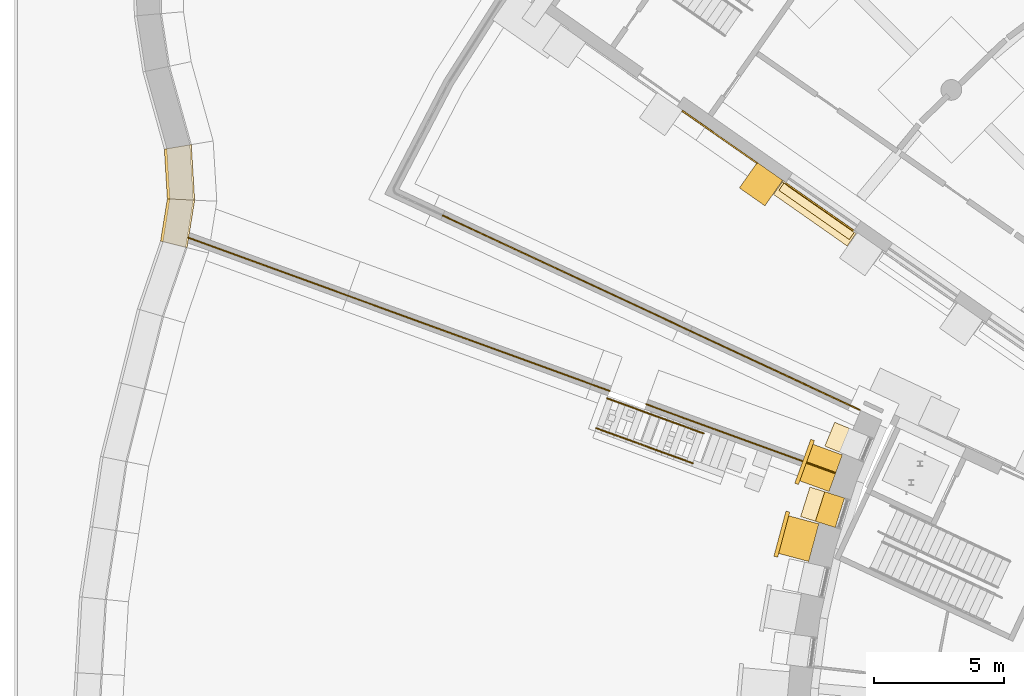
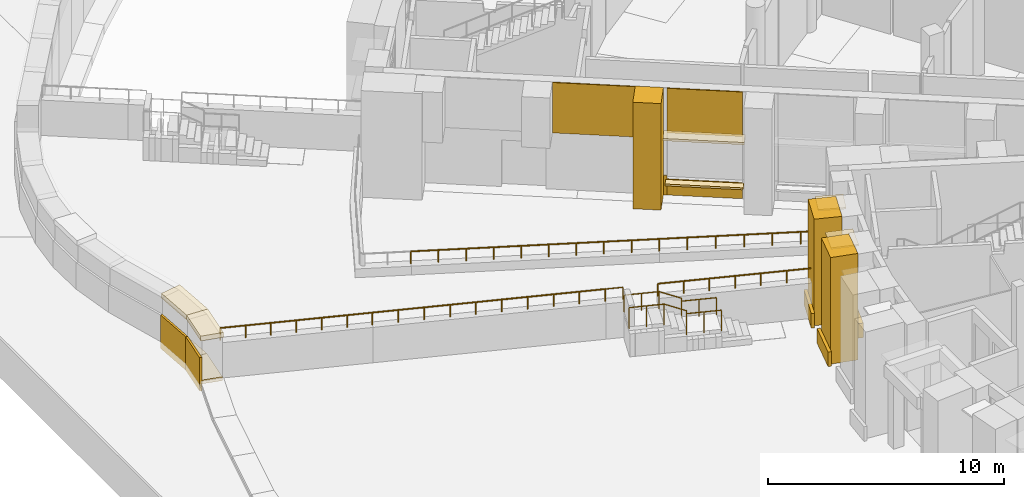
# One storey, part 58 of 65: 20 coverings, 8 railings.
"""IFC4 building model written with IfcOpenShell, lengths in metres."""

from ifc_helpers import new_model, si_unit, direction, frame, origin, origin_2d, place, context, subcontext, project, spatial, polyline, rectangle, circle, outline, extrude, material, layer, layer_set, type_object, element, save


model = new_model("IFC4")

# Units and contexts
model_context = context("Model", 3, precision=1e-05, world=origin(), true_north=direction((0.0, 1.0)))
body_context = subcontext(model_context, "Body", "Model", "MODEL_VIEW")
ifc_project = project(units=[si_unit("LENGTHUNIT", "METRE"), si_unit("AREAUNIT", "SQUARE_METRE"), si_unit("VOLUMEUNIT", "CUBIC_METRE"), si_unit("PLANEANGLEUNIT", "RADIAN"), si_unit("MASSUNIT", "GRAM", prefix="KILO")], contexts=[model_context])

# Site, building, storey
site_placement = place(None, origin())
site = spatial("IfcSite", under=ifc_project, at=site_placement, CompositionType="ELEMENT")
building_placement = place(site_placement, origin())
building = spatial("IfcBuilding", under=site, at=building_placement, Name="Volute Hill Aquarium", CompositionType="ELEMENT")
storey_placement = place(building_placement, frame((0.0, 0.0, -5.5)))
storey = spatial("IfcBuildingStorey", under=building, at=storey_placement, Name="L00", CompositionType="ELEMENT", Elevation=-5.5)

# Coverings
ifc_material_1 = material(Name="Blue limestone", Category="masonry")
covering_type_1 = type_object("IfcCoveringType", Name="Bluestone plinth block 275x750", PredefinedType="CLADDING", material=ifc_material_1)
covering_1_placement = place(storey_placement, frame((-30.489990234375, 9.61328125, 0.0), z_axis=(0.0, 0.0, 1.0), x_axis=(-0.300700050093, -0.953718763512, 0.0)))
element("IfcCovering", 1, at=covering_1_placement, inside=storey, type_object=covering_type_1, Name="Bluestone plinth BPN S1 L00 2", PredefinedType="CLADDING", context=body_context, shape_type="SweptSolid", body=[
    extrude(rectangle(XDim=1.19287109375, YDim=0.800048828125, at=origin_2d()), origin(), (0.0, 0.0, 1.0), 0.75),
])
ifc_material_2 = material(Name="Blue limestone", Category="masonry")
ifc_layer_1 = layer(ifc_material_2, 0.14990234375)
ifc_layer_set_1 = layer_set([ifc_layer_1], Name="Bluestone plinth plate 150x750")
covering_type_2 = type_object("IfcCoveringType", Name="Bluestone plinth plate 150x750", PredefinedType="CLADDING", material=ifc_layer_set_1)
for number, where, z_axis, x_axis, name in (
    (2, (-31.470458984375, 11.454345703125, 0.0), (0.0, 0.0, 1.0), (-0.342020143326, -0.939692620786, 0.0), "Bluestone plinth BP S1 L00 1"),
    (3, (-32.348876953125, 8.66796875, 0.0), (0.0, 0.0, 1.0), (-0.258819045103, -0.965925826289, 0.0), "Bluestone plinth BP S1 L00 2"),
):
    element("IfcCovering", number, at=place(storey_placement, frame(where, z_axis=z_axis, x_axis=x_axis)), inside=storey, type_object=covering_type_2, Name=name, PredefinedType="CLADDING", context=body_context, shape_type="SweptSolid", body=[
        extrude(rectangle(XDim=1.80224609375, YDim=0.14990234375, at=origin_2d()), origin(), (0.0, 0.0, 1.0), 0.75),
    ])
ifc_material_3 = material(Name="Blue limestone", Category="masonry")
ifc_layer_2 = layer(ifc_material_3, 0.06005859375)
ifc_layer_set_2 = layer_set([ifc_layer_2], Name="End wall plinth blue limestone 60")
covering_type_3 = type_object("IfcCoveringType", Name="End wall plinth blue limestone 60", PredefinedType="CLADDING", material=ifc_layer_set_2)
covering_2_placement = place(storey_placement, frame((-29.559326171875, 20.392333984375, 0.0), z_axis=(0.573630604722, 0.819114112518, 0.0), x_axis=(-0.819114112518, 0.573630604722, 0.0)))
element("IfcCovering", 4, at=covering_2_placement, inside=storey, type_object=covering_type_3, Name="End wall plinth EWL S6B L00 4", PredefinedType="CLADDING", context=body_context, shape_type="SweptSolid", body=[
    extrude(outline(polyline([(0.0, 0.0), (3.213325271657339, 0.0), (3.213325271657339, 0.800048828125), (0.0, 0.800048828125), (0.0, 0.0)])), origin(), (0.0, 0.0, -1.0), 0.06005859375),
])
covering_3_placement = place(storey_placement, frame((-32.19140625, 22.235595703125, 0.0), z_axis=(0.573353020881, 0.819308436089, 0.0), x_axis=(-0.819308436089, 0.573353020881, 0.0)))
element("IfcCovering", 5, at=covering_3_placement, inside=storey, type_object=covering_type_3, Name="End wall plinth EWL S6B L00 4", PredefinedType="CLADDING", context=body_context, shape_type="SweptSolid", body=[
    extrude(outline(polyline([(0.0, 0.0), (0.1498858414801972, 0.0), (0.1498858414801972, 1.0), (0.0, 1.0), (0.0, 0.0)])), origin(), (0.0, 0.0, -1.0), 0.06005859375),
])
ifc_material_4 = material(Name="Precast concrete C40/50", Category="concrete")
covering_type_4 = type_object("IfcCoveringType", Name="End wall precast fin C40/50 1200x1200", PredefinedType="CLADDING", material=ifc_material_4)
covering_4_placement = place(storey_placement, frame((-33.14990234375, 22.174072265625, 0.0), z_axis=(0.0, 0.0, 1.0), x_axis=(-0.819151442029, 0.573577296467, 0.0)))
element("IfcCovering", 6, at=covering_4_placement, inside=storey, type_object=covering_type_4, Name="End wall fin EWF S6B L00 5", PredefinedType="CLADDING", context=body_context, shape_type="SweptSolid", body=[
    extrude(rectangle(XDim=1.199951171875, YDim=1.199951171875, at=origin_2d()), origin(), (0.0, 0.0, 1.0), 5.5),
])
ifc_material_5 = material(Name="Precast concrete C40/50", Category="concrete")
ifc_layer_3 = layer(ifc_material_5, 0.050048828125)
ifc_layer_set_3 = layer_set([ifc_layer_3], Name="End wall precast infill panel C40/50 50")
covering_type_5 = type_object("IfcCoveringType", Name="End wall precast infill panel C40/50 50", PredefinedType="CLADDING", material=ifc_layer_set_3)
covering_5_placement = place(storey_placement, frame((-29.55908203125, 20.392333984375, 3.199951171875), z_axis=(0.573579624401, 0.819149811983, 0.0), x_axis=(-0.819149811983, 0.573579624401, 0.0)))
element("IfcCovering", 7, at=covering_5_placement, inside=storey, type_object=covering_type_5, Name="End wall panel EWP S6B L00 4", PredefinedType="CLADDING", context=body_context, shape_type="SweptSolid", body=[
    extrude(outline(polyline([(0.0, 0.0), (3.2131852313460314, 0.0), (3.2131852313460314, 2.300048828125), (0.0, 2.300048828125), (0.0, 0.0)])), origin(), (0.0, 0.0, -1.0), 0.050048828125),
])
covering_6_placement = place(storey_placement, frame((-33.297119140625, 23.009765625, 2.89990234375), z_axis=(0.573574269956, 0.819153561211, 0.0), x_axis=(-0.819153561211, 0.573574269956, 0.0)))
element("IfcCovering", 8, at=covering_6_placement, inside=storey, type_object=covering_type_5, Name="End wall panel EWP S6B L00 5", PredefinedType="CLADDING", context=body_context, shape_type="SweptSolid", body=[
    extrude(outline(polyline([(0.0, 0.0), (3.513296924748656, 0.0), (3.513296924748656, 2.60009765625), (0.0, 2.60009765625), (0.0, 0.0)])), origin(), (0.0, 0.0, -1.0), 0.050048828125),
])
ifc_material_6 = material(Name="Precast concrete C40/50", Category="concrete")
ifc_layer_4 = layer(ifc_material_6, 0.1201171875)
ifc_layer_set_4 = layer_set([ifc_layer_4], Name="End wall window head blade precast C40/50 600x120")
covering_type_6 = type_object("IfcCoveringType", Name="End wall window head blade precast C40/50 600x120", PredefinedType="CLADDING", material=ifc_layer_set_4)
covering_7_placement = place(storey_placement, frame((-31.075927734375, 21.027099609375, 3.199951171875), z_axis=(0.0, 0.0, 1.0), x_axis=(-0.819151442029, 0.573577296467, 0.0)))
element("IfcCovering", 9, at=covering_7_placement, inside=storey, type_object=covering_type_6, Name="End wall window head blade EWB S6B L00 4.1", PredefinedType="CLADDING", context=body_context, shape_type="SweptSolid", body=[
    extrude(rectangle(XDim=3.473388671875, YDim=0.60009765625, at=origin_2d()), origin(), (0.0, 0.0, 1.0), 0.1201171875),
])
ifc_material_7 = material(Name="Precast concrete C40/50", Category="concrete")
ifc_layer_5 = layer(ifc_material_7, 0.10009765625)
ifc_layer_set_5 = layer_set([ifc_layer_5], Name="End wall window sill precast C40/50 350x100")
covering_type_7 = type_object("IfcCoveringType", Name="End wall window sill precast C40/50 350x100", PredefinedType="CLADDING", material=ifc_layer_set_5)
covering_8_placement = place(storey_placement, frame((-31.004150390625, 21.129638671875, 0.699951171875), z_axis=(0.0, 0.0, 1.0), x_axis=(-0.819151442029, 0.573577296467, 0.0)))
element("IfcCovering", 10, at=covering_8_placement, inside=storey, type_object=covering_type_7, Name="End wall window sill EWS S6B L00 4.1", PredefinedType="CLADDING", context=body_context, shape_type="SweptSolid", body=[
    extrude(rectangle(XDim=3.313232421875, YDim=0.35009765625, at=origin_2d()), origin(), (0.0, 0.0, 1.0), 0.10009765625),
])
ifc_material_8 = material(Name="Aluminium, anodised", Category="aluminium")
ifc_layer_6 = layer(ifc_material_8, 0.080078125)
ifc_layer_set_6 = layer_set([ifc_layer_6], Name="Horizontal brise-soleil eyebrow 1200x80")
covering_type_8 = type_object("IfcCoveringType", Name="Horizontal brise-soleil eyebrow 1200x80", PredefinedType="CLADDING", material=ifc_layer_set_6)
covering_9_placement = place(storey_placement, frame((-29.944091796875, 12.294921875, 4.760009765625), z_axis=(0.0, 0.0, 1.0), x_axis=(-0.382661654863, -0.923888552747, 0.0)))
element("IfcCovering", 11, at=covering_9_placement, inside=storey, type_object=covering_type_8, Name="Brise-soleil eyebrow BS S1 L00 1.1", PredefinedType="CLADDING", context=body_context, shape_type="SweptSolid", body=[
    extrude(rectangle(XDim=0.99267578125, YDim=1.199951171875, at=origin_2d()), origin(), (0.0, 0.0, 1.0), 0.080078125),
])
covering_10_placement = place(storey_placement, frame((-30.87158203125, 9.733642578125, 4.760009765625), z_axis=(0.0, 0.0, 1.0), x_axis=(-0.300700050093, -0.953718763512, 0.0)))
element("IfcCovering", 12, at=covering_10_placement, inside=storey, type_object=covering_type_8, Name="Brise-soleil eyebrow BS S1 L00 2.1", PredefinedType="CLADDING", context=body_context, shape_type="SweptSolid", body=[
    extrude(rectangle(XDim=1.19287109375, YDim=1.199951171875, at=origin_2d()), origin(), (0.0, 0.0, 1.0), 0.080078125),
])
ifc_material_9 = material(Name="Precast concrete C40/50", Category="concrete")
ifc_layer_7 = layer(ifc_material_9, 0.25)
ifc_layer_set_7 = layer_set([ifc_layer_7], Name="Plinth coping precast concrete C40/50 1000")
covering_type_9 = type_object("IfcCoveringType", Name="Plinth coping precast concrete C40/50 1000", PredefinedType="CLADDING", material=ifc_layer_set_7)
covering_11_placement = place(storey_placement, frame((0.0, 0.0, 2.22509765625)))
element("IfcCovering", 13, at=covering_11_placement, inside=storey, type_object=covering_type_9, Name="cp/E91FA1/L00/0", PredefinedType="CLADDING", context=body_context, shape_type="SweptSolid", body=[
    extrude(outline(polyline([(-56.12744140625, 23.532958984375), (-56.01123046875, 21.603759765625), (-55.006591796875, 21.55419921875), (-55.1357421875, 23.698486328125), (-55.1357421875, 23.698486328125), (-56.12744140625, 23.532958984375), (-56.12744140625, 23.532958984375)])), origin(), (0.0, 0.0, 1.0), 0.25),
])
covering_12_placement = place(storey_placement, frame((0.0, 0.0, 2.22509765625)))
element("IfcCovering", 14, at=covering_12_placement, inside=storey, type_object=covering_type_9, Name="cp/E92FA1/L00/0", PredefinedType="CLADDING", context=body_context, shape_type="SweptSolid", body=[
    extrude(outline(polyline([(-56.01123046875, 21.603759765625), (-56.2734375, 19.96435546875), (-55.299560546875, 19.72216796875), (-55.006591796875, 21.55419921875), (-56.01123046875, 21.603759765625)])), origin(), (0.0, 0.0, 1.0), 0.25),
])
ifc_material_10 = material(Name="Precast concrete C40/50", Category="concrete")
ifc_layer_8 = layer(ifc_material_10, 0.199951171875)
ifc_layer_set_8 = layer_set([ifc_layer_8], Name="Plinth grade course precast concrete C40/50 1100")
covering_type_10 = type_object("IfcCoveringType", Name="Plinth grade course precast concrete C40/50 1100", PredefinedType="CLADDING", material=ifc_layer_set_8)
covering_13_placement = place(storey_placement, origin())
element("IfcCovering", 15, at=covering_13_placement, inside=storey, type_object=covering_type_10, Name="gc/E91FA1/L00/0", PredefinedType="CLADDING", context=body_context, shape_type="SweptSolid", body=[
    extrude(outline(polyline([(-56.0615234375, 21.606201171875), (-56.0615234375, 21.606201171875), (-55.056884765625, 21.556640625), (-55.056884765625, 21.556640625), (-55.185302734375, 23.690185546875), (-55.185302734375, 23.690185546875), (-56.177001953125, 23.524658203125), (-56.0615234375, 21.606201171875)])), origin(), (0.0, 0.0, 1.0), 0.199951171875),
])
covering_14_placement = place(storey_placement, origin())
element("IfcCovering", 16, at=covering_14_placement, inside=storey, type_object=covering_type_10, Name="gc/E92FA1/L00/0", PredefinedType="CLADDING", context=body_context, shape_type="SweptSolid", body=[
    extrude(outline(polyline([(-56.0615234375, 21.606201171875), (-56.322265625, 19.976318359375), (-55.34814453125, 19.734375), (-55.056884765625, 21.556640625), (-56.0615234375, 21.606201171875)])), origin(), (0.0, 0.0, 1.0), 0.199951171875),
])
ifc_material_11 = material(Name="Precast concrete C40/50", Category="concrete")
covering_type_11 = type_object("IfcCoveringType", Name="Projecting pier precast concrete C40/50 1502x1200", PredefinedType="CLADDING", material=ifc_material_11)
for number, where, z_axis, x_axis, name in (
    (17, (-30.836181640625, 11.223388671875, 0.0), (0.0, 0.0, 1.0), (-0.342020143326, -0.939692620786, 0.0), "Projecting pier PP S1 L00 1"),
    (18, (-31.697021484375, 8.4931640625, 0.0), (0.0, 0.0, 1.0), (-0.258819045103, -0.965925826289, 0.0), "Projecting pier PP S1 L00 2"),
):
    element("IfcCovering", number, at=place(storey_placement, frame(where, z_axis=z_axis, x_axis=x_axis)), inside=storey, type_object=covering_type_11, Name=name, PredefinedType="CLADDING", context=body_context, shape_type="SweptSolid", body=[
        extrude(rectangle(XDim=1.502197265625, YDim=1.199951171875, at=origin_2d()), origin(), (0.0, 0.0, 1.0), 5.5),
    ])
ifc_material_12 = material(Name="Precast concrete C40/50", Category="concrete")
ifc_layer_9 = layer(ifc_material_12, 0.10009765625)
ifc_layer_set_9 = layer_set([ifc_layer_9], Name="Retained ground face precast concrete C40/50 100")
covering_type_12 = type_object("IfcCoveringType", Name="Retained ground face precast concrete C40/50 100", PredefinedType="CLADDING", material=ifc_layer_set_9)
covering_15_placement = place(storey_placement, frame((0.0, 0.0, -0.35009765625)))
element("IfcCovering", 19, at=covering_15_placement, inside=storey, type_object=covering_type_12, Name="tg/E91FA1/L00/0", PredefinedType="CLADDING", context=body_context, shape_type="SweptSolid", body=[
    extrude(outline(polyline([(-56.0615234375, 21.606201171875), (-56.0615234375, 21.606201171875), (-55.961181640625, 21.601318359375), (-56.077880859375, 23.541259765625), (-56.177001953125, 23.524658203125), (-56.0615234375, 21.606201171875)])), origin(), (0.0, 0.0, 1.0), 1.72509765625),
])
covering_16_placement = place(storey_placement, frame((0.0, 0.0, -0.35009765625)))
element("IfcCovering", 20, at=covering_16_placement, inside=storey, type_object=covering_type_12, Name="tg/E92FA1/L00/0", PredefinedType="CLADDING", context=body_context, shape_type="SweptSolid", body=[
    extrude(outline(polyline([(-56.0615234375, 21.606201171875), (-56.322265625, 19.976318359375), (-56.224853515625, 19.9521484375), (-56.224853515625, 19.9521484375), (-55.961181640625, 21.601318359375), (-55.961181640625, 21.601318359375), (-56.0615234375, 21.606201171875)])), origin(), (0.0, 0.0, 1.0), 1.72509765625),
])

# Railings
ifc_material_13 = material(Name="Steel S355", Category="steel")
railing_type_1 = type_object("IfcRailingType", Name="Site guard 1100", PredefinedType="GUARDRAIL", material=ifc_material_13)
railing_1_placement = place(storey_placement, frame((-35.7880859375, 11.403076171875, 0.763916015625)))
element("IfcRailing", 21, at=railing_1_placement, inside=storey, type_object=railing_type_1, Name="gd/ST160/L00/1", PredefinedType="GUARDRAIL", context=body_context, shape_type="SweptSolid", body=[
    extrude(circle(Radius=0.02392578125, at=origin_2d()), frame((0.0, 0.0, 1.076171875), z_axis=(-0.9397221254, 0.341939069183, 0.0), x_axis=(-0.341939069183, -0.9397221254, 0.0)), (0.0, 0.0, 1.0), 1.5),
    extrude(circle(Radius=0.02392578125, at=origin_2d()), frame((-1.40966796875, 0.512939453125, 1.076171875), z_axis=(0.0, 0.0, 1.0), x_axis=(1.0, 0.0, 0.0)), (0.0, 0.0, 1.0), 0.15283203125),
    extrude(circle(Radius=0.02392578125, at=origin_2d()), frame((-1.40966796875, 0.512939453125, 1.22900390625), z_axis=(-0.848021952055, 0.308684580653, 0.430781381328), x_axis=(-0.342049332837, -0.939681996159, 0.0)), (0.0, 0.0, 1.0), 1.063720703125),
    extrude(circle(Radius=0.02392578125, at=origin_2d()), frame((-2.311767578125, 0.84130859375, 1.68701171875), z_axis=(-0.9397221254, 0.341939069183, 0.0), x_axis=(-0.341939069183, -0.9397221254, 0.0)), (0.0, 0.0, 1.0), 1.5),
    extrude(circle(Radius=0.02099609375, at=origin_2d()), origin(), (0.0, 0.0, 1.0), 1.052001953125),
    extrude(circle(Radius=0.02099609375, at=origin_2d()), frame((-0.704833984375, 0.25634765625, 0.0)), (0.0, 0.0, 1.0), 1.052001953125),
    extrude(circle(Radius=0.02099609375, at=origin_2d()), frame((-1.40966796875, 0.512939453125, 0.0)), (0.0, 0.0, 1.0), 1.052001953125),
    extrude(circle(Radius=0.02099609375, at=origin_2d()), frame((-1.40966796875, 0.512939453125, 0.15283203125)), (0.0, 0.0, 1.0), 1.052001953125),
    extrude(circle(Radius=0.02099609375, at=origin_2d()), frame((-2.311767578125, 0.84130859375, 0.611083984375)), (0.0, 0.0, 1.0), 1.052001953125),
    extrude(circle(Radius=0.02099609375, at=origin_2d()), frame((-3.0166015625, 1.09765625, 0.611083984375)), (0.0, 0.0, 1.0), 1.052001953125),
    extrude(circle(Radius=0.02099609375, at=origin_2d()), frame((-3.721435546875, 1.354248046875, 0.611083984375)), (0.0, 0.0, 1.0), 1.052001953125),
])
railing_2_placement = place(storey_placement, frame((-30.30517578125, 11.030029296875, 1.824951171875)))
element("IfcRailing", 22, at=railing_2_placement, inside=storey, type_object=railing_type_1, Name="gd/RW160/L00/0", PredefinedType="GUARDRAIL", context=body_context, shape_type="SweptSolid", body=[
    extrude(circle(Radius=0.02392578125, at=origin_2d()), frame((0.0, 0.0, 0.6259765625), z_axis=(-0.939682860451, 0.342046958435, 0.0), x_axis=(-0.342046958435, -0.939682860451, 0.0)), (0.0, 0.0, 1.0), 7.739990234375),
    extrude(circle(Radius=0.02099609375, at=origin_2d()), origin(), (0.0, 0.0, 1.0), 0.601806640625),
    extrude(circle(Radius=0.02099609375, at=origin_2d()), frame((-1.0390625, 0.378173828125, 0.0)), (0.0, 0.0, 1.0), 0.601806640625),
    extrude(circle(Radius=0.02099609375, at=origin_2d()), frame((-2.078125, 0.75634765625, 0.0)), (0.0, 0.0, 1.0), 0.601806640625),
    extrude(circle(Radius=0.02099609375, at=origin_2d()), frame((-3.1171875, 1.134521484375, 0.0)), (0.0, 0.0, 1.0), 0.601806640625),
    extrude(circle(Radius=0.02099609375, at=origin_2d()), frame((-4.156005859375, 1.512939453125, 0.0)), (0.0, 0.0, 1.0), 0.601806640625),
    extrude(circle(Radius=0.02099609375, at=origin_2d()), frame((-5.195068359375, 1.89111328125, 0.0)), (0.0, 0.0, 1.0), 0.601806640625),
    extrude(circle(Radius=0.02099609375, at=origin_2d()), frame((-6.234130859375, 2.269287109375, 0.0)), (0.0, 0.0, 1.0), 0.601806640625),
    extrude(circle(Radius=0.02099609375, at=origin_2d()), frame((-7.273193359375, 2.6474609375, 0.0)), (0.0, 0.0, 1.0), 0.601806640625),
])
railing_3_placement = place(storey_placement, frame((-38.98779296875, 14.1904296875, 1.824951171875)))
element("IfcRailing", 23, at=railing_3_placement, inside=storey, type_object=railing_type_1, Name="gd/RW160/L00/1", PredefinedType="GUARDRAIL", context=body_context, shape_type="SweptSolid", body=[
    extrude(circle(Radius=0.02392578125, at=origin_2d()), frame((0.0, 0.0, 0.6259765625), z_axis=(-0.939652650954, 0.342129939578, 0.0), x_axis=(-0.342129939578, -0.939652650954, 0.0)), (0.0, 0.0, 1.0), 0.760009765625),
    extrude(circle(Radius=0.02099609375, at=origin_2d()), origin(), (0.0, 0.0, 1.0), 0.601806640625),
    extrude(circle(Radius=0.02099609375, at=origin_2d()), frame((-0.714111328125, 0.260009765625, 0.0)), (0.0, 0.0, 1.0), 0.601806640625),
])
railing_4_placement = place(storey_placement, frame((-39.701904296875, 14.450439453125, 1.824951171875)))
element("IfcRailing", 24, at=railing_4_placement, inside=storey, type_object=railing_type_1, Name="gd/RW160/L00/2", PredefinedType="GUARDRAIL", context=body_context, shape_type="SweptSolid", body=[
    extrude(circle(Radius=0.02392578125, at=origin_2d()), frame((0.0, 0.0, 0.6259765625), z_axis=(-0.939694302413, 0.342015523058, 0.0), x_axis=(-0.342015523058, -0.939694302413, 0.0)), (0.0, 0.0, 1.0), 10.0),
    extrude(circle(Radius=0.02099609375, at=origin_2d()), origin(), (0.0, 0.0, 1.0), 0.601806640625),
    extrude(circle(Radius=0.02099609375, at=origin_2d()), frame((-1.044189453125, 0.380126953125, 0.0)), (0.0, 0.0, 1.0), 0.601806640625),
    extrude(circle(Radius=0.02099609375, at=origin_2d()), frame((-2.088134765625, 0.760009765625, 0.0)), (0.0, 0.0, 1.0), 0.601806640625),
    extrude(circle(Radius=0.02099609375, at=origin_2d()), frame((-3.13232421875, 1.14013671875, 0.0)), (0.0, 0.0, 1.0), 0.601806640625),
    extrude(circle(Radius=0.02099609375, at=origin_2d()), frame((-4.176513671875, 1.52001953125, 0.0)), (0.0, 0.0, 1.0), 0.601806640625),
    extrude(circle(Radius=0.02099609375, at=origin_2d()), frame((-5.220458984375, 1.900146484375, 0.0)), (0.0, 0.0, 1.0), 0.601806640625),
    extrude(circle(Radius=0.02099609375, at=origin_2d()), frame((-6.2646484375, 2.280029296875, 0.0)), (0.0, 0.0, 1.0), 0.601806640625),
    extrude(circle(Radius=0.02099609375, at=origin_2d()), frame((-7.308837890625, 2.66015625, 0.0)), (0.0, 0.0, 1.0), 0.601806640625),
    extrude(circle(Radius=0.02099609375, at=origin_2d()), frame((-8.352783203125, 3.0400390625, 0.0)), (0.0, 0.0, 1.0), 0.601806640625),
    extrude(circle(Radius=0.02099609375, at=origin_2d()), frame((-9.39697265625, 3.420166015625, 0.0)), (0.0, 0.0, 1.0), 0.601806640625),
])
railing_5_placement = place(storey_placement, frame((-49.098876953125, 17.87060546875, 1.824951171875)))
element("IfcRailing", 25, at=railing_5_placement, inside=storey, type_object=railing_type_1, Name="gd/RW160/L00/3", PredefinedType="GUARDRAIL", context=body_context, shape_type="SweptSolid", body=[
    extrude(circle(Radius=0.02392578125, at=origin_2d()), frame((0.0, 0.0, 0.6259765625), z_axis=(-0.939701741785, 0.341995082547, 0.0), x_axis=(-0.341995082547, -0.939701741785, 0.0)), (0.0, 0.0, 1.0), 6.533447265625),
    extrude(circle(Radius=0.02099609375, at=origin_2d()), origin(), (0.0, 0.0, 1.0), 0.601806640625),
    extrude(circle(Radius=0.02099609375, at=origin_2d()), frame((-1.023193359375, 0.372314453125, 0.0)), (0.0, 0.0, 1.0), 0.601806640625),
    extrude(circle(Radius=0.02099609375, at=origin_2d()), frame((-2.04638671875, 0.744873046875, 0.0)), (0.0, 0.0, 1.0), 0.601806640625),
    extrude(circle(Radius=0.02099609375, at=origin_2d()), frame((-3.06982421875, 1.1171875, 0.0)), (0.0, 0.0, 1.0), 0.601806640625),
    extrude(circle(Radius=0.02099609375, at=origin_2d()), frame((-4.093017578125, 1.489501953125, 0.0)), (0.0, 0.0, 1.0), 0.601806640625),
    extrude(circle(Radius=0.02099609375, at=origin_2d()), frame((-5.1162109375, 1.862060546875, 0.0)), (0.0, 0.0, 1.0), 0.601806640625),
    extrude(circle(Radius=0.02099609375, at=origin_2d()), frame((-6.139404296875, 2.234375, 0.0)), (0.0, 0.0, 1.0), 0.601806640625),
])
railing_6_placement = place(storey_placement, frame((-35.88427734375, 16.512451171875, 1.824951171875)))
element("IfcRailing", 26, at=railing_6_placement, inside=storey, type_object=railing_type_1, Name="gd/RWCFA10.2/L00/0", PredefinedType="GUARDRAIL", context=body_context, shape_type="SweptSolid", body=[
    extrude(circle(Radius=0.02392578125, at=origin_2d()), frame((0.0, 0.0, 0.6259765625), z_axis=(-0.906313923598, 0.422605101592, 0.0), x_axis=(-0.422605101592, -0.906313923598, 0.0)), (0.0, 0.0, 1.0), 10.5361328125),
    extrude(circle(Radius=0.02099609375, at=origin_2d()), origin(), (0.0, 0.0, 1.0), 0.601806640625),
    extrude(circle(Radius=0.02099609375, at=origin_2d()), frame((-1.06103515625, 0.49462890625, 0.0)), (0.0, 0.0, 1.0), 0.601806640625),
    extrude(circle(Radius=0.02099609375, at=origin_2d()), frame((-2.1220703125, 0.989501953125, 0.0)), (0.0, 0.0, 1.0), 0.601806640625),
    extrude(circle(Radius=0.02099609375, at=origin_2d()), frame((-3.18310546875, 1.484130859375, 0.0)), (0.0, 0.0, 1.0), 0.601806640625),
    extrude(circle(Radius=0.02099609375, at=origin_2d()), frame((-4.244140625, 1.97900390625, 0.0)), (0.0, 0.0, 1.0), 0.601806640625),
    extrude(circle(Radius=0.02099609375, at=origin_2d()), frame((-5.304931640625, 2.4736328125, 0.0)), (0.0, 0.0, 1.0), 0.601806640625),
    extrude(circle(Radius=0.02099609375, at=origin_2d()), frame((-6.365966796875, 2.968505859375, 0.0)), (0.0, 0.0, 1.0), 0.601806640625),
    extrude(circle(Radius=0.02099609375, at=origin_2d()), frame((-7.427001953125, 3.463134765625, 0.0)), (0.0, 0.0, 1.0), 0.601806640625),
    extrude(circle(Radius=0.02099609375, at=origin_2d()), frame((-8.488037109375, 3.9580078125, 0.0)), (0.0, 0.0, 1.0), 0.601806640625),
    extrude(circle(Radius=0.02099609375, at=origin_2d()), frame((-9.549072265625, 4.45263671875, 0.0)), (0.0, 0.0, 1.0), 0.601806640625),
])
railing_7_placement = place(storey_placement, frame((-29.350341796875, 13.465576171875, 1.824951171875)))
element("IfcRailing", 27, at=railing_7_placement, inside=storey, type_object=railing_type_1, Name="gd/RWCFA10.3/L00/0", PredefinedType="GUARDRAIL", context=body_context, shape_type="SweptSolid", body=[
    extrude(circle(Radius=0.02392578125, at=origin_2d()), frame((0.0, 0.0, 0.6259765625), z_axis=(-0.906305087233, 0.422624051439, 0.0), x_axis=(-0.422624051439, -0.906305087233, 0.0)), (0.0, 0.0, 1.0), 7.20947265625),
    extrude(circle(Radius=0.02099609375, at=origin_2d()), origin(), (0.0, 0.0, 1.0), 0.601806640625),
    extrude(circle(Radius=0.02099609375, at=origin_2d()), frame((-1.0888671875, 0.5078125, 0.0)), (0.0, 0.0, 1.0), 0.601806640625),
    extrude(circle(Radius=0.02099609375, at=origin_2d()), frame((-2.177978515625, 1.015625, 0.0)), (0.0, 0.0, 1.0), 0.601806640625),
    extrude(circle(Radius=0.02099609375, at=origin_2d()), frame((-3.26708984375, 1.5234375, 0.0)), (0.0, 0.0, 1.0), 0.601806640625),
    extrude(circle(Radius=0.02099609375, at=origin_2d()), frame((-4.35595703125, 2.03125, 0.0)), (0.0, 0.0, 1.0), 0.601806640625),
    extrude(circle(Radius=0.02099609375, at=origin_2d()), frame((-5.44482421875, 2.5390625, 0.0)), (0.0, 0.0, 1.0), 0.601806640625),
    extrude(circle(Radius=0.02099609375, at=origin_2d()), frame((-6.533935546875, 3.046875, 0.0)), (0.0, 0.0, 1.0), 0.601806640625),
])
ifc_material_14 = material(Name="Steel S355", Category="steel")
railing_type_2 = type_object("IfcRailingType", Name="Site handrail 900", PredefinedType="HANDRAIL", material=ifc_material_14)
railing_8_placement = place(storey_placement, frame((-35.369384765625, 12.55419921875, 0.763916015625)))
element("IfcRailing", 28, at=railing_8_placement, inside=storey, type_object=railing_type_2, Name="hr/ST160/L00/1", PredefinedType="HANDRAIL", context=body_context, shape_type="SweptSolid", body=[
    extrude(circle(Radius=0.02392578125, at=origin_2d()), frame((0.0, 0.0, 0.8759765625), z_axis=(-0.939703091851, 0.341991372939, 0.0), x_axis=(-0.341991372939, -0.939703091851, 0.0)), (0.0, 0.0, 1.0), 1.499755859375),
    extrude(circle(Radius=0.02392578125, at=origin_2d()), frame((-1.409423828125, 0.512939453125, 0.8759765625), z_axis=(0.0, 0.0, 1.0), x_axis=(1.0, 0.0, 0.0)), (0.0, 0.0, 1.0), 0.15283203125),
    extrude(circle(Radius=0.02392578125, at=origin_2d()), frame((-1.409423828125, 0.512939453125, 1.02880859375), z_axis=(-0.848021952055, 0.308684580653, 0.430781381328), x_axis=(-0.342049332837, -0.939681996159, 0.0)), (0.0, 0.0, 1.0), 1.063720703125),
    extrude(circle(Radius=0.02392578125, at=origin_2d()), frame((-2.3115234375, 0.84130859375, 1.48681640625), z_axis=(-0.9397221254, 0.341939069183, 0.0), x_axis=(-0.341939069183, -0.9397221254, 0.0)), (0.0, 0.0, 1.0), 1.5),
    extrude(circle(Radius=0.02099609375, at=origin_2d()), origin(), (0.0, 0.0, 1.0), 0.851806640625),
    extrude(circle(Radius=0.02099609375, at=origin_2d()), frame((-0.70458984375, 0.25634765625, 0.0)), (0.0, 0.0, 1.0), 0.851806640625),
    extrude(circle(Radius=0.02099609375, at=origin_2d()), frame((-1.409423828125, 0.512939453125, 0.0)), (0.0, 0.0, 1.0), 0.851806640625),
    extrude(circle(Radius=0.02099609375, at=origin_2d()), frame((-1.409423828125, 0.512939453125, 0.15283203125)), (0.0, 0.0, 1.0), 0.851806640625),
    extrude(circle(Radius=0.02099609375, at=origin_2d()), frame((-2.3115234375, 0.84130859375, 0.611083984375)), (0.0, 0.0, 1.0), 0.851806640625),
    extrude(circle(Radius=0.02099609375, at=origin_2d()), frame((-3.016357421875, 1.09765625, 0.611083984375)), (0.0, 0.0, 1.0), 0.851806640625),
    extrude(circle(Radius=0.02099609375, at=origin_2d()), frame((-3.72119140625, 1.354248046875, 0.611083984375)), (0.0, 0.0, 1.0), 0.851806640625),
])

save(model, "model.ifc")
